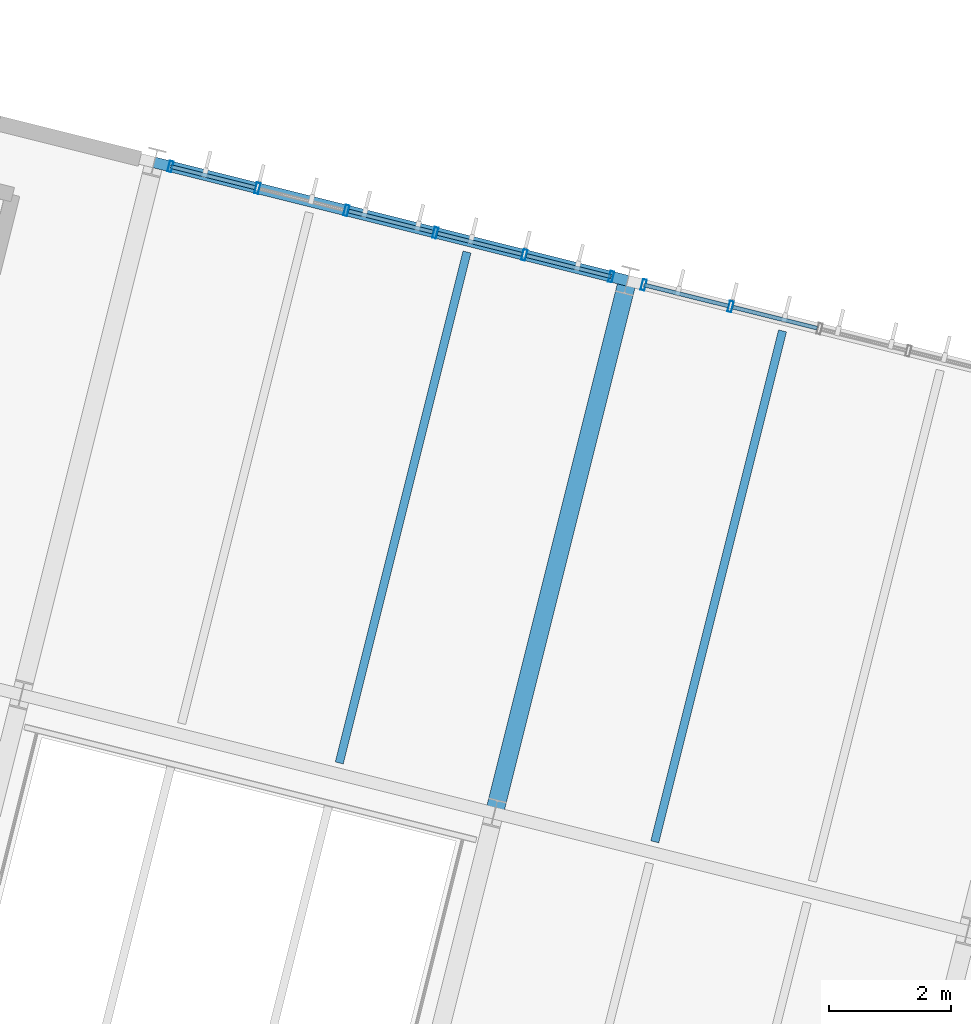
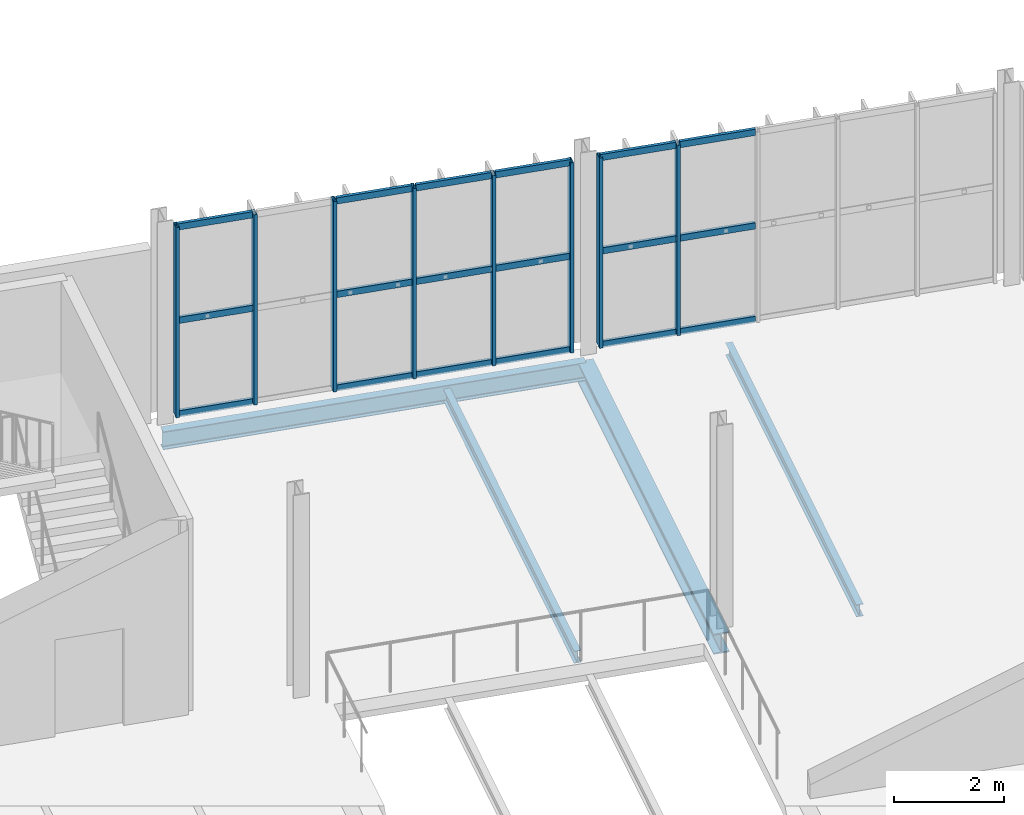
# One storey, part 101 of 152: 26 members, 4 beams, 2 elements without a shape of their own.
"""IFC4 building model written with IfcOpenShell, lengths in metres."""

from ifc_helpers import new_model, si_unit, derived_unit, direction, frame, origin, origin_2d, place, context, subcontext, project, spatial, hollow_rectangle, i_section, extrude, material, material_profile, profile_set, type_object, element, aggregate, save


model = new_model("IFC4")

# Units and contexts
model_context = context("Model", 3, precision=1e-05, world=origin(), true_north=direction((0.0, 1.0)))
body_context = subcontext(model_context, "Body", "Model", "MODEL_VIEW")
ifc_project = project(units=[si_unit("LENGTHUNIT", "METRE"), si_unit("AREAUNIT", "SQUARE_METRE"), si_unit("VOLUMEUNIT", "CUBIC_METRE"), si_unit("PLANEANGLEUNIT", "RADIAN"), si_unit("MASSUNIT", "GRAM", prefix="KILO"), si_unit("THERMODYNAMICTEMPERATUREUNIT", "KELVIN"), si_unit("TIMEUNIT", "SECOND"), derived_unit("THERMALTRANSMITTANCEUNIT", [(si_unit("MASSUNIT", "GRAM", prefix="KILO"), 1), (si_unit("THERMODYNAMICTEMPERATUREUNIT", "KELVIN"), -1), (si_unit("TIMEUNIT", "SECOND"), -3)])], contexts=[model_context])

# Site, building, storey
site_placement = place(None, origin())
site = spatial("IfcSite", under=ifc_project, at=site_placement, CompositionType="ELEMENT")
building_placement = place(site_placement, origin())
building = spatial("IfcBuilding", under=site, at=building_placement, Name="Cambertide Market Hall", CompositionType="ELEMENT")
storey_placement = place(building_placement, frame((0.0, 0.0, 5.39990234375)))
storey = spatial("IfcBuildingStorey", under=building, at=storey_placement, Name="L02", CompositionType="ELEMENT", Elevation=5.39990234375)

# Curtain wall, members
ifc_material_1 = material(Name="Marine Anodized Aluminium 6063-T6 AA25", Category="aluminium")
curtain_wall_type = type_object("IfcCurtainWallType", Name="Culinary Teaching Kitchen Curtain Wall", PredefinedType="USERDEFINED", material=ifc_material_1)
curtain_wall_1_placement = place(storey_placement, origin())
curtain_wall_1 = element("IfcCurtainWall", 1, at=curtain_wall_1_placement, inside=storey, type_object=curtain_wall_type, Name="Level 2 Curtain Wall CW-V4N-L02-6", ObjectType="UNITIZED CURTAIN WALL", PredefinedType="USERDEFINED")
ifc_material_2 = material(Name="Champagne Marine Anodized Aluminium 6063-T6 AA25", Category="aluminium")
ifc_material_profile_1 = material_profile(ifc_material_2, hollow_rectangle(XDim=0.06494140625, YDim=0.179931640625, WallThickness=0.00390625, at=origin_2d()), Name="ALU MULLION 65x180")
ifc_profile_set_1 = profile_set([ifc_material_profile_1], Name="Champagne Marine Anodized Aluminium 6063-T6 AA25")
member_type_1 = type_object("IfcMemberType", Name="Curtain Wall Mullion ALU MULLION 65x180", PredefinedType="MULLION", material=ifc_profile_set_1)
member_1_placement = place(storey_placement, frame((153.620849609375, 116.42578125, 0.0), z_axis=(0.0, 0.0, 1.0), x_axis=(0.970142500145, -0.242535625038, 0.0)))
member_1 = element("IfcMember", 2, at=member_1_placement, type_object=member_type_1, Name="CW-V4N-L02-6 Mullion 1", PredefinedType="MULLION", context=body_context, shape_type="SweptSolid", body=[
    extrude(hollow_rectangle(XDim=0.06494140625, YDim=0.179931640625, WallThickness=0.00390625, at=origin_2d()), origin(), (0.0, 0.0, 1.0), 4.22021484375),
])
member_2_placement = place(storey_placement, frame((155.046142578125, 116.0693359375, 0.0), z_axis=(0.0, 0.0, 1.0), x_axis=(0.970142500145, -0.242535625038, 0.0)))
member_2 = element("IfcMember", 3, at=member_2_placement, type_object=member_type_1, Name="CW-V4N-L02-6 Mullion 2", PredefinedType="MULLION", context=body_context, shape_type="SweptSolid", body=[
    extrude(hollow_rectangle(XDim=0.06494140625, YDim=0.179931640625, WallThickness=0.00390625, at=origin_2d()), origin(), (0.0, 0.0, 1.0), 4.22021484375),
])
member_3_placement = place(storey_placement, frame((156.505126953125, 115.70458984375, 0.0), z_axis=(0.0, 0.0, 1.0), x_axis=(0.970142500145, -0.242535625038, 0.0)))
member_3 = element("IfcMember", 4, at=member_3_placement, type_object=member_type_1, Name="CW-V4N-L02-6 Mullion 3", PredefinedType="MULLION", context=body_context, shape_type="SweptSolid", body=[
    extrude(hollow_rectangle(XDim=0.06494140625, YDim=0.179931640625, WallThickness=0.00390625, at=origin_2d()), origin(), (0.0, 0.0, 1.0), 4.22021484375),
])
member_4_placement = place(storey_placement, frame((157.96435546875, 115.33984375, 0.0), z_axis=(0.0, 0.0, 1.0), x_axis=(0.970142500145, -0.242535625038, 0.0)))
member_4 = element("IfcMember", 5, at=member_4_placement, type_object=member_type_1, Name="CW-V4N-L02-6 Mullion 4", PredefinedType="MULLION", context=body_context, shape_type="SweptSolid", body=[
    extrude(hollow_rectangle(XDim=0.06494140625, YDim=0.179931640625, WallThickness=0.00390625, at=origin_2d()), origin(), (0.0, 0.0, 1.0), 4.22021484375),
])
member_5_placement = place(storey_placement, frame((159.42333984375, 114.97509765625, 0.0), z_axis=(0.0, 0.0, 1.0), x_axis=(0.970142500145, -0.242535625038, 0.0)))
member_5 = element("IfcMember", 6, at=member_5_placement, type_object=member_type_1, Name="CW-V4N-L02-6 Mullion 5", PredefinedType="MULLION", context=body_context, shape_type="SweptSolid", body=[
    extrude(hollow_rectangle(XDim=0.06494140625, YDim=0.179931640625, WallThickness=0.00390625, at=origin_2d()), origin(), (0.0, 0.0, 1.0), 4.22021484375),
])
member_6_placement = place(storey_placement, frame((160.8486328125, 114.618896484375, 0.0), z_axis=(0.0, 0.0, 1.0), x_axis=(0.970142500145, -0.242535625038, 0.0)))
member_6 = element("IfcMember", 7, at=member_6_placement, type_object=member_type_1, Name="CW-V4N-L02-6 Mullion 6", PredefinedType="MULLION", context=body_context, shape_type="SweptSolid", body=[
    extrude(hollow_rectangle(XDim=0.06494140625, YDim=0.179931640625, WallThickness=0.00390625, at=origin_2d()), origin(), (0.0, 0.0, 1.0), 4.22021484375),
])

curtain_wall_2_placement = place(storey_placement, origin())
curtain_wall_2 = element("IfcCurtainWall", 8, at=curtain_wall_2_placement, inside=storey, type_object=curtain_wall_type, Name="Level 2 Curtain Wall CW-V4N-L02-7", ObjectType="UNITIZED CURTAIN WALL", PredefinedType="USERDEFINED")
member_7_placement = place(storey_placement, frame((161.382080078125, 114.4853515625, 0.0), z_axis=(0.0, 0.0, 1.0), x_axis=(0.970142500145, -0.242535625038, 0.0)))
member_7 = element("IfcMember", 9, at=member_7_placement, type_object=member_type_1, Name="CW-V4N-L02-7 Mullion 1", PredefinedType="MULLION", context=body_context, shape_type="SweptSolid", body=[
    extrude(hollow_rectangle(XDim=0.06494140625, YDim=0.179931640625, WallThickness=0.00390625, at=origin_2d()), origin(), (0.0, 0.0, 1.0), 4.22021484375),
])
member_8_placement = place(storey_placement, frame((162.80712890625, 114.129150390625, 0.0), z_axis=(0.0, 0.0, 1.0), x_axis=(0.970142500145, -0.242535625038, 0.0)))
member_8 = element("IfcMember", 10, at=member_8_placement, type_object=member_type_1, Name="CW-V4N-L02-7 Mullion 2", PredefinedType="MULLION", context=body_context, shape_type="SweptSolid", body=[
    extrude(hollow_rectangle(XDim=0.06494140625, YDim=0.179931640625, WallThickness=0.00390625, at=origin_2d()), origin(), (0.0, 0.0, 1.0), 4.22021484375),
])

# Member
ifc_material_3 = material(Name="Champagne Marine Anodized Aluminium 6063-T6 AA25", Category="aluminium")
ifc_material_profile_2 = material_profile(ifc_material_3, hollow_rectangle(XDim=0.06494140625, YDim=0.139892578125, WallThickness=0.00341796875, at=origin_2d()), Name="ALU TRANSOM 65x140")
ifc_profile_set_2 = profile_set([ifc_material_profile_2], Name="Champagne Marine Anodized Aluminium 6063-T6 AA25")
member_type_2 = type_object("IfcMemberType", Name="Curtain Wall Transom ALU TRANSOM 65x140", PredefinedType="USERDEFINED", material=ifc_profile_set_2)
member_9_placement = place(storey_placement, frame((153.625732421875, 116.424560546875, 0.03515625), z_axis=(0.970132415085, -0.242575961715, 0.0), x_axis=(0.242575961715, 0.970132415085, 0.0)))
member_9 = element("IfcMember", 11, at=member_9_placement, type_object=member_type_2, Name="CW-V4N-L02-6 Transom 1-1", ObjectType="TRANSOM", PredefinedType="USERDEFINED", context=body_context, shape_type="SweptSolid", body=[
    extrude(hollow_rectangle(XDim=0.06494140625, YDim=0.139892578125, WallThickness=0.00341796875, at=origin_2d()), origin(), (0.0, 0.0, 1.0), 1.424072265625),
])

member_10_placement = place(storey_placement, frame((156.5439453125, 115.695068359375, 0.03515625), z_axis=(0.970132415085, -0.242575961715, 0.0), x_axis=(0.242575961715, 0.970132415085, 0.0)))
member_10 = element("IfcMember", 12, at=member_10_placement, type_object=member_type_2, Name="CW-V4N-L02-6 Transom 1-3", ObjectType="TRANSOM", PredefinedType="USERDEFINED", context=body_context, shape_type="SweptSolid", body=[
    extrude(hollow_rectangle(XDim=0.06494140625, YDim=0.139892578125, WallThickness=0.00341796875, at=origin_2d()), origin(), (0.0, 0.0, 1.0), 1.424072265625),
])

member_11_placement = place(storey_placement, frame((158.003173828125, 115.330078125, 0.03515625), z_axis=(0.970162669427, -0.242454933646, 0.0), x_axis=(0.242454933646, 0.970162669427, 0.0)))
member_11 = element("IfcMember", 13, at=member_11_placement, type_object=member_type_2, Name="CW-V4N-L02-6 Transom 1-4", ObjectType="TRANSOM", PredefinedType="USERDEFINED", context=body_context, shape_type="SweptSolid", body=[
    extrude(hollow_rectangle(XDim=0.06494140625, YDim=0.139892578125, WallThickness=0.00341796875, at=origin_2d()), origin(), (0.0, 0.0, 1.0), 1.423828125),
])

member_12_placement = place(storey_placement, frame((159.462158203125, 114.96533203125, 0.03515625), z_axis=(0.970172746521, -0.242414607454, 0.0), x_axis=(0.242414607454, 0.970172746521, 0.0)))
member_12 = element("IfcMember", 14, at=member_12_placement, type_object=member_type_2, Name="CW-V4N-L02-6 Transom 1-5", ObjectType="TRANSOM", PredefinedType="USERDEFINED", context=body_context, shape_type="SweptSolid", body=[
    extrude(hollow_rectangle(XDim=0.06494140625, YDim=0.139892578125, WallThickness=0.00341796875, at=origin_2d()), origin(), (0.0, 0.0, 1.0), 1.424072265625),
])

member_13_placement = place(storey_placement, frame((153.625732421875, 116.424560546875, 2.110107421875), z_axis=(0.970132415085, -0.242575961715, 0.0), x_axis=(0.242575961715, 0.970132415085, 0.0)))
member_13 = element("IfcMember", 15, at=member_13_placement, type_object=member_type_2, Name="CW-V4N-L02-6 Transom 2-1", ObjectType="TRANSOM", PredefinedType="USERDEFINED", context=body_context, shape_type="SweptSolid", body=[
    extrude(hollow_rectangle(XDim=0.06494140625, YDim=0.139892578125, WallThickness=0.00341796875, at=origin_2d()), origin(), (0.0, 0.0, 1.0), 1.424072265625),
])

member_14_placement = place(storey_placement, frame((156.5439453125, 115.695068359375, 2.110107421875), z_axis=(0.970132415085, -0.242575961715, 0.0), x_axis=(0.242575961715, 0.970132415085, 0.0)))
member_14 = element("IfcMember", 16, at=member_14_placement, type_object=member_type_2, Name="CW-V4N-L02-6 Transom 2-3", ObjectType="TRANSOM", PredefinedType="USERDEFINED", context=body_context, shape_type="SweptSolid", body=[
    extrude(hollow_rectangle(XDim=0.06494140625, YDim=0.139892578125, WallThickness=0.00341796875, at=origin_2d()), origin(), (0.0, 0.0, 1.0), 1.424072265625),
])

member_15_placement = place(storey_placement, frame((158.003173828125, 115.330078125, 2.110107421875), z_axis=(0.970162669427, -0.242454933646, 0.0), x_axis=(0.242454933646, 0.970162669427, 0.0)))
member_15 = element("IfcMember", 17, at=member_15_placement, type_object=member_type_2, Name="CW-V4N-L02-6 Transom 2-4", ObjectType="TRANSOM", PredefinedType="USERDEFINED", context=body_context, shape_type="SweptSolid", body=[
    extrude(hollow_rectangle(XDim=0.06494140625, YDim=0.139892578125, WallThickness=0.00341796875, at=origin_2d()), origin(), (0.0, 0.0, 1.0), 1.423828125),
])

member_16_placement = place(storey_placement, frame((159.462158203125, 114.96533203125, 2.110107421875), z_axis=(0.970172746521, -0.242414607454, 0.0), x_axis=(0.242414607454, 0.970172746521, 0.0)))
member_16 = element("IfcMember", 18, at=member_16_placement, type_object=member_type_2, Name="CW-V4N-L02-6 Transom 2-5", ObjectType="TRANSOM", PredefinedType="USERDEFINED", context=body_context, shape_type="SweptSolid", body=[
    extrude(hollow_rectangle(XDim=0.06494140625, YDim=0.139892578125, WallThickness=0.00341796875, at=origin_2d()), origin(), (0.0, 0.0, 1.0), 1.424072265625),
])

member_17_placement = place(storey_placement, frame((153.625732421875, 116.424560546875, 4.18505859375), z_axis=(0.970132415085, -0.242575961715, 0.0), x_axis=(0.242575961715, 0.970132415085, 0.0)))
member_17 = element("IfcMember", 19, at=member_17_placement, type_object=member_type_2, Name="CW-V4N-L02-6 Transom 3-1", ObjectType="TRANSOM", PredefinedType="USERDEFINED", context=body_context, shape_type="SweptSolid", body=[
    extrude(hollow_rectangle(XDim=0.06494140625, YDim=0.139892578125, WallThickness=0.00341796875, at=origin_2d()), origin(), (0.0, 0.0, 1.0), 1.424072265625),
])

member_18_placement = place(storey_placement, frame((156.5439453125, 115.695068359375, 4.18505859375), z_axis=(0.970132415085, -0.242575961715, 0.0), x_axis=(0.242575961715, 0.970132415085, 0.0)))
member_18 = element("IfcMember", 20, at=member_18_placement, type_object=member_type_2, Name="CW-V4N-L02-6 Transom 3-3", ObjectType="TRANSOM", PredefinedType="USERDEFINED", context=body_context, shape_type="SweptSolid", body=[
    extrude(hollow_rectangle(XDim=0.06494140625, YDim=0.139892578125, WallThickness=0.00341796875, at=origin_2d()), origin(), (0.0, 0.0, 1.0), 1.424072265625),
])

member_19_placement = place(storey_placement, frame((158.003173828125, 115.330078125, 4.18505859375), z_axis=(0.970162669427, -0.242454933646, 0.0), x_axis=(0.242454933646, 0.970162669427, 0.0)))
member_19 = element("IfcMember", 21, at=member_19_placement, type_object=member_type_2, Name="CW-V4N-L02-6 Transom 3-4", ObjectType="TRANSOM", PredefinedType="USERDEFINED", context=body_context, shape_type="SweptSolid", body=[
    extrude(hollow_rectangle(XDim=0.06494140625, YDim=0.139892578125, WallThickness=0.00341796875, at=origin_2d()), origin(), (0.0, 0.0, 1.0), 1.423828125),
])

member_20_placement = place(storey_placement, frame((159.462158203125, 114.96533203125, 4.18505859375), z_axis=(0.970172746521, -0.242414607454, 0.0), x_axis=(0.242414607454, 0.970172746521, 0.0)))
member_20 = element("IfcMember", 22, at=member_20_placement, type_object=member_type_2, Name="CW-V4N-L02-6 Transom 3-5", ObjectType="TRANSOM", PredefinedType="USERDEFINED", context=body_context, shape_type="SweptSolid", body=[
    extrude(hollow_rectangle(XDim=0.06494140625, YDim=0.139892578125, WallThickness=0.00341796875, at=origin_2d()), origin(), (0.0, 0.0, 1.0), 1.424072265625),
])

aggregate(curtain_wall_1, [member_1, member_2, member_3, member_4, member_5, member_6, member_9, member_10, member_11, member_12, member_13, member_14, member_15, member_16, member_17, member_18, member_19, member_20])

member_21_placement = place(storey_placement, frame((161.386962890625, 114.484130859375, 0.03515625), z_axis=(0.970162669427, -0.242454933646, 0.0), x_axis=(0.242454933646, 0.970162669427, 0.0)))
member_21 = element("IfcMember", 23, at=member_21_placement, type_object=member_type_2, Name="CW-V4N-L02-7 Transom 1-1", ObjectType="TRANSOM", PredefinedType="USERDEFINED", context=body_context, shape_type="SweptSolid", body=[
    extrude(hollow_rectangle(XDim=0.06494140625, YDim=0.139892578125, WallThickness=0.00341796875, at=origin_2d()), origin(), (0.0, 0.0, 1.0), 1.423828125),
])

member_22_placement = place(storey_placement, frame((162.845947265625, 114.119384765625, 0.03515625), z_axis=(0.970172746521, -0.242414607454, 0.0), x_axis=(0.242414607454, 0.970172746521, 0.0)))
member_22 = element("IfcMember", 24, at=member_22_placement, type_object=member_type_2, Name="CW-V4N-L02-7 Transom 1-2", ObjectType="TRANSOM", PredefinedType="USERDEFINED", context=body_context, shape_type="SweptSolid", body=[
    extrude(hollow_rectangle(XDim=0.06494140625, YDim=0.139892578125, WallThickness=0.00341796875, at=origin_2d()), origin(), (0.0, 0.0, 1.0), 1.424072265625),
])

member_23_placement = place(storey_placement, frame((161.386962890625, 114.484130859375, 2.110107421875), z_axis=(0.970162669427, -0.242454933646, 0.0), x_axis=(0.242454933646, 0.970162669427, 0.0)))
member_23 = element("IfcMember", 25, at=member_23_placement, type_object=member_type_2, Name="CW-V4N-L02-7 Transom 2-1", ObjectType="TRANSOM", PredefinedType="USERDEFINED", context=body_context, shape_type="SweptSolid", body=[
    extrude(hollow_rectangle(XDim=0.06494140625, YDim=0.139892578125, WallThickness=0.00341796875, at=origin_2d()), origin(), (0.0, 0.0, 1.0), 1.423828125),
])

member_24_placement = place(storey_placement, frame((162.845947265625, 114.119384765625, 2.110107421875), z_axis=(0.970172746521, -0.242414607454, 0.0), x_axis=(0.242414607454, 0.970172746521, 0.0)))
member_24 = element("IfcMember", 26, at=member_24_placement, type_object=member_type_2, Name="CW-V4N-L02-7 Transom 2-2", ObjectType="TRANSOM", PredefinedType="USERDEFINED", context=body_context, shape_type="SweptSolid", body=[
    extrude(hollow_rectangle(XDim=0.06494140625, YDim=0.139892578125, WallThickness=0.00341796875, at=origin_2d()), origin(), (0.0, 0.0, 1.0), 1.424072265625),
])

member_25_placement = place(storey_placement, frame((161.386962890625, 114.484130859375, 4.18505859375), z_axis=(0.970162669427, -0.242454933646, 0.0), x_axis=(0.242454933646, 0.970162669427, 0.0)))
member_25 = element("IfcMember", 27, at=member_25_placement, type_object=member_type_2, Name="CW-V4N-L02-7 Transom 3-1", ObjectType="TRANSOM", PredefinedType="USERDEFINED", context=body_context, shape_type="SweptSolid", body=[
    extrude(hollow_rectangle(XDim=0.06494140625, YDim=0.139892578125, WallThickness=0.00341796875, at=origin_2d()), origin(), (0.0, 0.0, 1.0), 1.423828125),
])

member_26_placement = place(storey_placement, frame((162.845947265625, 114.119384765625, 4.18505859375), z_axis=(0.970172746521, -0.242414607454, 0.0), x_axis=(0.242414607454, 0.970172746521, 0.0)))
member_26 = element("IfcMember", 28, at=member_26_placement, type_object=member_type_2, Name="CW-V4N-L02-7 Transom 3-2", ObjectType="TRANSOM", PredefinedType="USERDEFINED", context=body_context, shape_type="SweptSolid", body=[
    extrude(hollow_rectangle(XDim=0.06494140625, YDim=0.139892578125, WallThickness=0.00341796875, at=origin_2d()), origin(), (0.0, 0.0, 1.0), 1.424072265625),
])

aggregate(curtain_wall_2, [member_7, member_8, member_21, member_22, member_23, member_24, member_25, member_26])

# Beams
ifc_material_4 = material(Name="Steel S355", Category="steel")
ifc_material_profile_3 = material_profile(ifc_material_4, i_section(OverallWidth=0.179931640625, OverallDepth=0.39990234375, WebThickness=0.008544921875, FlangeThickness=0.013427734375, FilletRadius=0.02099609375, at=origin_2d()), Name="IPE 400")
ifc_profile_set_3 = profile_set([ifc_material_profile_3], Name="Steel S355")
beam_type_1 = type_object("IfcBeamType", Name="Perimeter Spandrel Beam IPE 400", PredefinedType="SPANDREL", material=ifc_profile_set_3)
beam_1_placement = place(storey_placement, frame((153.354248046875, 116.492431640625, -0.46484375), z_axis=(0.970144295309, -0.242528444268, 0.0), x_axis=(0.242528444268, 0.970144295309, 0.0)))
element("IfcBeam", 29, at=beam_1_placement, inside=storey, type_object=beam_type_1, Name="Level 2 Spandrel BM-V4U-L02-6-4", PredefinedType="SPANDREL", context=body_context, shape_type="SweptSolid", body=[
    extrude(i_section(OverallWidth=0.179931640625, OverallDepth=0.39990234375, WebThickness=0.008544921875, FlangeThickness=0.013427734375, FilletRadius=0.02099609375, at=origin_2d()), origin(), (0.0, 0.0, 1.0), 7.999755859375),
])
ifc_material_5 = material(Name="Steel S355", Category="steel")
ifc_material_profile_4 = material_profile(ifc_material_5, i_section(OverallWidth=0.300048828125, OverallDepth=0.449951171875, WebThickness=0.013916015625, FlangeThickness=0.02587890625, FilletRadius=0.027099609375, at=origin_2d()), Name="HEB 450")
ifc_profile_set_4 = profile_set([ifc_material_profile_4], Name="Steel S355")
beam_type_2 = type_object("IfcBeamType", Name="Steel Girder HEB 450", PredefinedType="BEAM", material=ifc_profile_set_4)
beam_2_placement = place(storey_placement, frame((158.932373046875, 105.82080078125, -0.489990234375), z_axis=(0.242535625036, 0.970142500145, 0.0), x_axis=(-0.970142500145, 0.242535625036, 0.0)))
element("IfcBeam", 30, at=beam_2_placement, inside=storey, type_object=beam_type_2, Name="Level 2 Beam BM-V4V-L02-7-3", PredefinedType="BEAM", context=body_context, shape_type="SweptSolid", body=[
    extrude(i_section(OverallWidth=0.300048828125, OverallDepth=0.449951171875, WebThickness=0.013916015625, FlangeThickness=0.02587890625, FilletRadius=0.027099609375, at=origin_2d()), origin(), (0.0, 0.0, 1.0), 9.000244140625),
])
ifc_material_6 = material(Name="Steel S275", Category="steel")
ifc_material_profile_5 = material_profile(ifc_material_6, i_section(OverallWidth=0.135009765625, OverallDepth=0.27001953125, WebThickness=0.006591796875, FlangeThickness=0.01025390625, FilletRadius=0.014892578125, at=origin_2d()), Name="IPE 270")
ifc_profile_set_5 = profile_set([ifc_material_profile_5], Name="Steel S275")
beam_type_3 = type_object("IfcBeamType", Name="Steel Secondary Joist IPE 270", PredefinedType="JOIST", material=ifc_profile_set_5)
beam_3_placement = place(storey_placement, frame((156.38916015625, 106.642333984375, -0.39990234375), z_axis=(0.242535625036, 0.970142500145, 0.0), x_axis=(-0.970142500145, 0.242535625036, 0.0)))
element("IfcBeam", 31, at=beam_3_placement, inside=storey, type_object=beam_type_3, Name="Level 2 Joist JS-V4-L02-6-3-2", PredefinedType="JOIST", context=body_context, shape_type="SweptSolid", body=[
    extrude(i_section(OverallWidth=0.135009765625, OverallDepth=0.27001953125, WebThickness=0.006591796875, FlangeThickness=0.01025390625, FilletRadius=0.014892578125, at=origin_2d()), origin(), (0.0, 0.0, 1.0), 8.639892578125),
])
beam_4_placement = place(storey_placement, frame((161.563232421875, 105.3486328125, -0.39990234375), z_axis=(0.242528976348, 0.970144162293, 0.0), x_axis=(-0.970144162293, 0.242528976348, 0.0)))
element("IfcBeam", 32, at=beam_4_placement, inside=storey, type_object=beam_type_3, Name="Level 2 Joist JS-V4-L02-7-3-1", PredefinedType="JOIST", context=body_context, shape_type="SweptSolid", body=[
    extrude(i_section(OverallWidth=0.135009765625, OverallDepth=0.27001953125, WebThickness=0.006591796875, FlangeThickness=0.01025390625, FilletRadius=0.014892578125, at=origin_2d()), origin(), (0.0, 0.0, 1.0), 8.64013671875),
])

save(model, "model.ifc")
